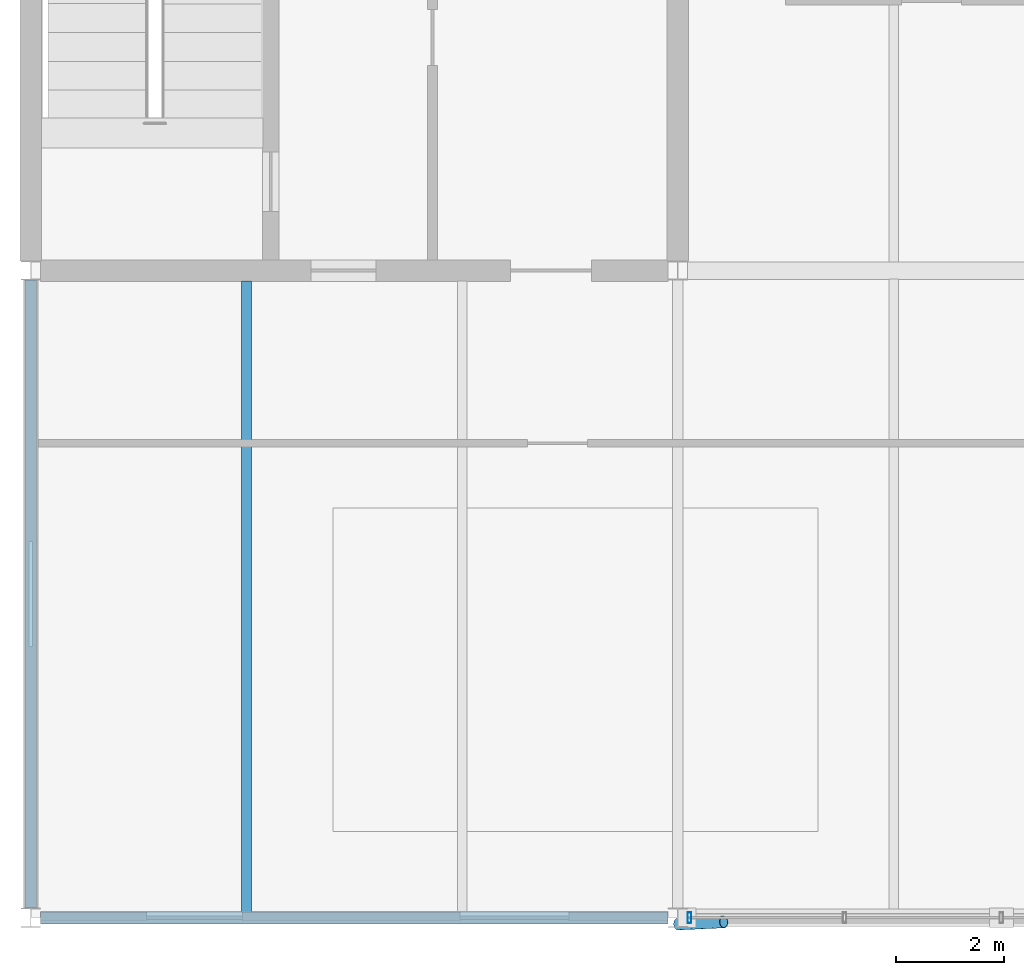
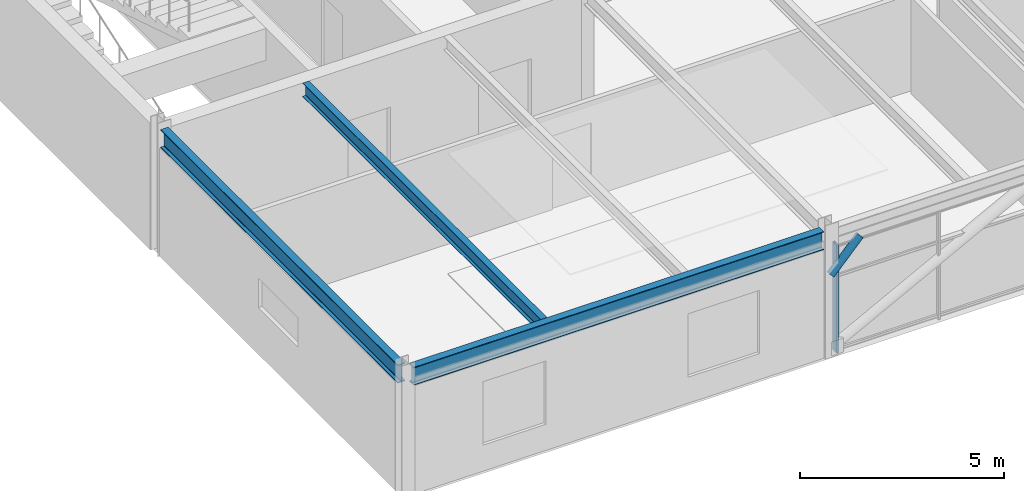
# One storey, part 3 of 23: 3 beams, 2 members, 1 element without a shape of its own.
"""IFC4 building model written with IfcOpenShell, lengths in metres."""

from ifc_helpers import new_model, si_unit, direction, frame, origin, origin_2d, place, context, subcontext, project, spatial, hollow_rectangle, hollow_circle, i_section, extrude, material, material_profile, profile_set, type_object, element, aggregate, save


model = new_model("IFC4")

# Units and contexts
model_context = context("Model", 3, precision=1e-05, world=origin(), true_north=direction((0.0, 1.0)))
body_context = subcontext(model_context, "Body", "Model", "MODEL_VIEW")
ifc_project = project(units=[si_unit("LENGTHUNIT", "METRE"), si_unit("AREAUNIT", "SQUARE_METRE"), si_unit("VOLUMEUNIT", "CUBIC_METRE"), si_unit("PLANEANGLEUNIT", "RADIAN"), si_unit("MASSUNIT", "GRAM", prefix="KILO")], contexts=[model_context])

# Site, building, storey
site_placement = place(None, origin())
site = spatial("IfcSite", under=ifc_project, at=site_placement, CompositionType="ELEMENT")
building_placement = place(site_placement, origin())
building = spatial("IfcBuilding", under=site, at=building_placement, Name="Girod Span Mobility Hub", CompositionType="ELEMENT")
storey_placement = place(building_placement, frame((0.0, 0.0, 65.60009765625)))
storey = spatial("IfcBuildingStorey", under=building, at=storey_placement, Name="L16", CompositionType="ELEMENT", Elevation=65.60009765625)

# Beams
ifc_material_1 = material(Name="Steel A992 Grade 50", Category="steel")
ifc_material_profile_1 = material_profile(ifc_material_1, i_section(OverallWidth=0.178955078125, OverallDepth=0.409912109375, WebThickness=0.0087890625, FlangeThickness=0.014404296875, FilletRadius=0.012939453125, at=origin_2d()), Name="W16X45")
ifc_profile_set_1 = profile_set([ifc_material_profile_1], Name="Steel A992 Grade 50")
beam_type_1 = type_object("IfcBeamType", Name="BM-STL-W16X45", PredefinedType="BEAM", material=ifc_profile_set_1)
beam_1_placement = place(storey_placement, frame((52.0, 45.10302734375, 3.5849609375), z_axis=(0.0, 1.0, 0.0), x_axis=(-1.0, 0.0, 0.0)))
element("IfcBeam", 1, at=beam_1_placement, inside=storey, type_object=beam_type_1, Name="Composite Floorbeam 5/D-1 L16", PredefinedType="BEAM", context=body_context, shape_type="SweptSolid", body=[
    extrude(i_section(OverallWidth=0.178955078125, OverallDepth=0.409912109375, WebThickness=0.0087890625, FlangeThickness=0.014404296875, FilletRadius=0.012939453125, at=origin_2d()), origin(), (0.0, 0.0, 1.0), 11.699951171875),
])
ifc_material_2 = material(Name="Steel A992 Grade 50", Category="steel")
ifc_material_profile_2 = material_profile(ifc_material_2, i_section(OverallWidth=0.2119140625, OverallDepth=0.5439453125, WebThickness=0.01318359375, FlangeThickness=0.021240234375, FilletRadius=0.014892578125, at=origin_2d()), Name="W21X83")
ifc_profile_set_2 = profile_set([ifc_material_profile_2], Name="Steel A992 Grade 50")
beam_type_2 = type_object("IfcBeamType", Name="BM-STL-W21X83", PredefinedType="SPANDREL", material=ifc_profile_set_2)
beam_2_placement = place(storey_placement, frame((48.181396484375, 45.0, 3.517822265625), z_axis=(1.0, 0.0, 0.0), x_axis=(0.0, 1.0, 0.0)))
element("IfcBeam", 2, at=beam_2_placement, inside=storey, type_object=beam_type_2, Name="Girder 5-6/D L16", PredefinedType="SPANDREL", context=body_context, shape_type="SweptSolid", body=[
    extrude(i_section(OverallWidth=0.2119140625, OverallDepth=0.5439453125, WebThickness=0.01318359375, FlangeThickness=0.021240234375, FilletRadius=0.014892578125, at=origin_2d()), origin(), (0.0, 0.0, 1.0), 11.63720703125),
])
beam_3_placement = place(storey_placement, frame((48.0, 45.175048828125, 3.517822265625), z_axis=(0.0, 1.0, 0.0), x_axis=(-1.0, 0.0, 0.0)))
element("IfcBeam", 3, at=beam_3_placement, inside=storey, type_object=beam_type_2, Name="Tie Girder 5/D-E L16", PredefinedType="SPANDREL", context=body_context, shape_type="SweptSolid", body=[
    extrude(i_section(OverallWidth=0.2119140625, OverallDepth=0.5439453125, WebThickness=0.01318359375, FlangeThickness=0.021240234375, FilletRadius=0.014892578125, at=origin_2d()), origin(), (0.0, 0.0, 1.0), 11.64990234375),
])

# Curtain wall, member
ifc_material_3 = material(Name="Thermally Broken Anodised Aluminium", Category="aluminium")
curtain_wall_type = type_object("IfcCurtainWallType", Name="CW-1164X325", PredefinedType="USERDEFINED", material=ifc_material_3)
curtain_wall_placement = place(storey_placement, origin())
curtain_wall = element("IfcCurtainWall", 4, at=curtain_wall_placement, inside=storey, type_object=curtain_wall_type, Name="Unitised Curtain Wall CW-L16-S06 L16", ObjectType="UNITISED CURTAIN WALL", PredefinedType="USERDEFINED")
ifc_material_4 = material(Name="Thermally Broken Anodised Aluminium", Category="aluminium")
ifc_material_profile_3 = material_profile(ifc_material_4, hollow_rectangle(XDim=0.199951171875, YDim=0.06494140625, WallThickness=0.00390625, InnerFilletRadius=0.00390625, OuterFilletRadius=0.008056640625, at=origin_2d()), Name="CW-ML-65X200")
ifc_profile_set_3 = profile_set([ifc_material_profile_3], Name="Thermally Broken Anodised Aluminium")
member_type_1 = type_object("IfcMemberType", Name="CWM-ML-1", PredefinedType="MULLION", material=ifc_profile_set_3)
member_1_placement = place(storey_placement, frame((60.214599609375, 45.0, 0.0), z_axis=(0.0, 0.0, 1.0), x_axis=(0.0, 1.0, 0.0)))
member_1 = element("IfcMember", 5, at=member_1_placement, type_object=member_type_1, Name="Curtain Wall Mullion CW-L16-S06-M0", PredefinedType="MULLION", context=body_context, shape_type="SweptSolid", body=[
    extrude(hollow_rectangle(XDim=0.199951171875, YDim=0.06494140625, WallThickness=0.00390625, InnerFilletRadius=0.00390625, OuterFilletRadius=0.008056640625, at=origin_2d()), origin(), (0.0, 0.0, 1.0), 3.245849609375),
])
aggregate(curtain_wall, [member_1])

# Member
ifc_material_5 = material(Name="Steel HSS A500 Grade C", Category="steel")
ifc_material_profile_4 = material_profile(ifc_material_5, hollow_circle(Radius=0.109619140625, WallThickness=0.0087890625, at=origin_2d()), Name="HSS219X9.5")
ifc_profile_set_4 = profile_set([ifc_material_profile_4], Name="Steel HSS A500 Grade C")
member_type_2 = type_object("IfcMemberType", Name="MB-ST-HSS219", PredefinedType="STRUT", material=ifc_profile_set_4)
member_2_placement = place(storey_placement, frame((60.0, 44.8798828125, 2.449951171875), z_axis=(0.702671876699, 0.03309540143, 0.710743925828), x_axis=(-0.047047213483, 0.998892666758, 0.0)))
element("IfcMember", 6, at=member_2_placement, inside=storey, type_object=member_type_2, Name="Solar Shading Knee Strut 6 L16", PredefinedType="STRUT", context=body_context, shape_type="SweptSolid", body=[
    extrude(hollow_circle(Radius=0.109619140625, WallThickness=0.0087890625, at=origin_2d()), origin(), (0.0, 0.0, 1.0), 1.209716796875),
])

save(model, "model.ifc")
